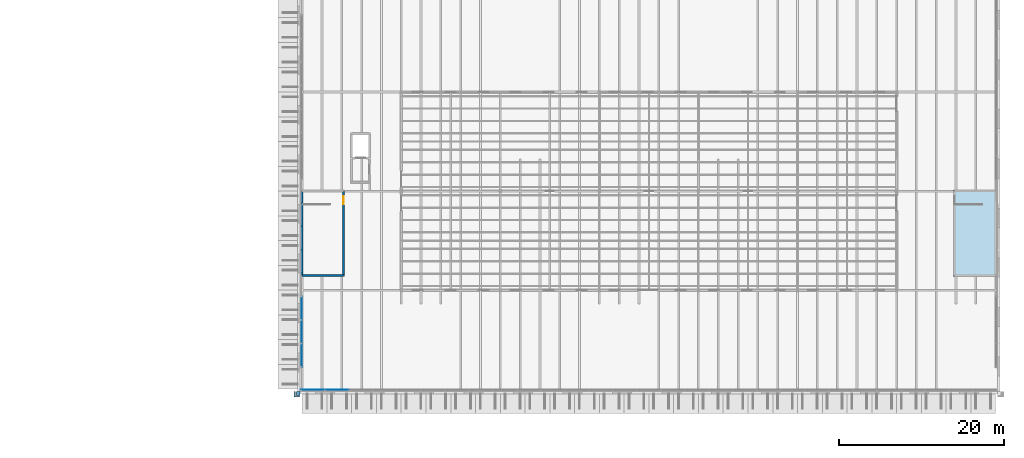
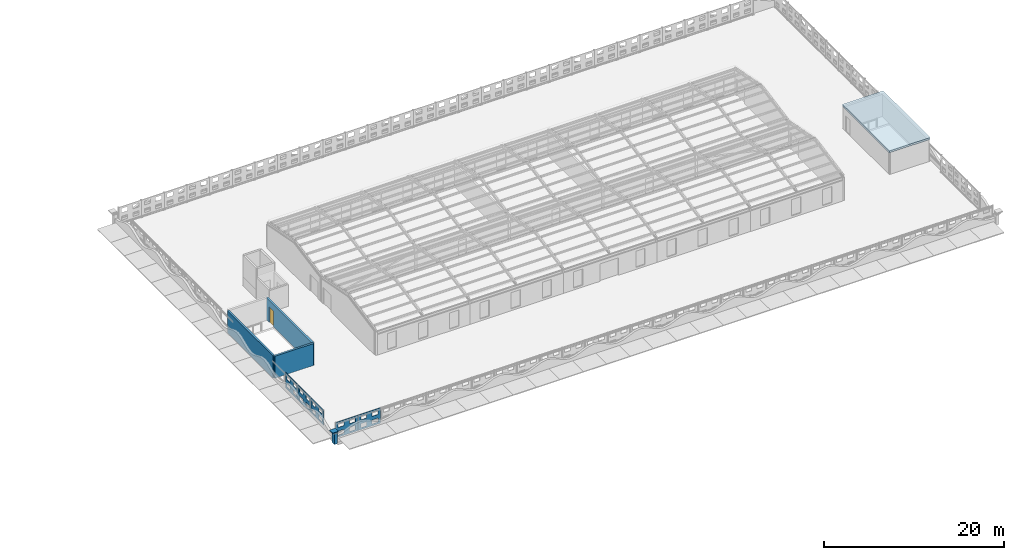
# One storey, part 54 of 91: 10 walls, 1 door, 1 slab, 21 openings.
"""IFC4 building model written with IfcOpenShell, lengths in metres."""

import ifcopenshell
import ifcopenshell.guid

model = None  # the IFC model being written
_history = None  # IfcOwnerHistory: only IFC2X3 demands one
_inside = {}  # id of a spatial element -> (the spatial element, [elements in it])
_under = {}  # id of a project, library or spatial element -> (it, [spatial elements below it])
_declared = {}  # id of a project -> (the project, [libraries it declares])
_typed = {}  # id of a type object -> (the type object, [elements of that type])
_made_of = {}  # id of a material, layer set ... -> (it, [elements and type objects made of it])


def new_model(schema):
    """Start an empty IFC model of exactly this schema.

    Asked for "IFC4X3", IfcOpenShell would pick the latest addendum, in which some entities
    have other attributes; the version numbers below select the first issue.
    IFC2X3 requires an IfcOwnerHistory on every rooted entity: one is made here for all.
    """
    global model, _history
    if schema == "IFC4X3":
        model = ifcopenshell.file(schema_version=(4, 3, 0, 0))
    else:
        model = ifcopenshell.file(schema=schema)
    _inside.clear()
    _under.clear()
    _declared.clear()
    _typed.clear()
    _made_of.clear()
    _history = None
    if model.schema == "IFC2X3":
        org = make("IfcOrganization", Name="unknown")
        user = make(
            "IfcPersonAndOrganization",
            ThePerson=make("IfcPerson", FamilyName="unknown"),
            TheOrganization=org,
        )
        app = make(
            "IfcApplication",
            ApplicationDeveloper=org,
            Version="unknown",
            ApplicationFullName="unknown",
            ApplicationIdentifier="unknown",
        )
        _history = make(
            "IfcOwnerHistory",
            OwningUser=user,
            OwningApplication=app,
            ChangeAction="ADDED",
            CreationDate=0,
        )
    return model


def make(cls, **values):
    """One entity of the class cls with the attributes given. An attribute that is None is left unset."""
    return model.create_entity(
        cls, **{name: value for name, value in values.items() if value is not None}
    )


def rooted(cls, **values):
    """An entity with a GlobalId (a new one), such as an element, a storey or a relation."""
    return make(cls, GlobalId=ifcopenshell.guid.new(), OwnerHistory=_history, **values)


def si_unit(unit_type, name, prefix=None):
    """IfcSIUnit, for example si_unit("LENGTHUNIT", "METRE", prefix="MILLI")."""
    return make("IfcSIUnit", UnitType=unit_type, Prefix=prefix, Name=name)


def assignment(units):
    """IfcUnitAssignment: the units of a project."""
    return None if units is None else make("IfcUnitAssignment", Units=units)


def point(xyz):
    """IfcCartesianPoint."""
    return None if xyz is None else make("IfcCartesianPoint", Coordinates=xyz)


def direction(xyz):
    """IfcDirection."""
    return None if xyz is None else make("IfcDirection", DirectionRatios=xyz)


def frame(location, z_axis=None, x_axis=None):
    """IfcAxis2Placement3D, a coordinate frame: its origin and axes. An axis left out is left unset."""
    return make(
        "IfcAxis2Placement3D",
        Location=point(location),
        Axis=direction(z_axis),
        RefDirection=direction(x_axis),
    )


def frame_2d(location, x_axis=None):
    """IfcAxis2Placement2D, a coordinate frame in the plane: its origin and x axis."""
    return make(
        "IfcAxis2Placement2D", Location=point(location), RefDirection=direction(x_axis)
    )


def origin():
    """The frame at (0, 0, 0) with its axes left unset."""
    return frame((0.0, 0.0, 0.0))


def place(relative_to, where):
    """IfcLocalPlacement: puts the frame where relative to a parent placement (None: the world)."""
    return make(
        "IfcLocalPlacement", PlacementRelTo=relative_to, RelativePlacement=where
    )


def context(
    kind, dimensions, precision=None, world=None, true_north=None, identifier=None
):
    """IfcGeometricRepresentationContext, for example the 3D "Model" context."""
    return make(
        "IfcGeometricRepresentationContext",
        ContextIdentifier=identifier,
        ContextType=kind,
        CoordinateSpaceDimension=dimensions,
        Precision=precision,
        WorldCoordinateSystem=world,
        TrueNorth=true_north,
    )


def subcontext(parent, identifier, kind, view, scale=None):
    """IfcGeometricRepresentationSubContext, for example "Body" below "Model"."""
    return make(
        "IfcGeometricRepresentationSubContext",
        ContextIdentifier=identifier,
        ContextType=kind,
        ParentContext=parent,
        TargetScale=scale,
        TargetView=view,
    )


def project(units=None, contexts=None):
    """IfcProject with its units and contexts."""
    return rooted(
        "IfcProject",
        Name="project",
        RepresentationContexts=contexts,
        UnitsInContext=assignment(units),
    )


def spatial(cls, under=None, at=None, **own):
    """A site, building, storey or space (cls), placed at a placement, below another one or the project."""
    s = rooted(cls, ObjectPlacement=at, **own)
    if under is not None:
        _under.setdefault(under.id(), (under, []))[1].append(s)
    return s


def polyline(points):
    """IfcPolyline through the points."""
    return make("IfcPolyline", Points=[point(p) for p in points])


def profile(cls, at=None, kind="AREA", **sizes):
    """A parametric profile (cls). Its sizes go by their IFC names, for example OverallWidth=200.0."""
    return make(cls, ProfileType=kind, Position=at, **sizes)


def rectangle(**sizes):
    """IfcRectangleProfileDef."""
    return profile("IfcRectangleProfileDef", **sizes)


def outline(outer, holes=None, kind="AREA"):
    """IfcArbitraryClosedProfileDef: a profile drawn as a closed curve; with holes, ...WithVoids."""
    if holes is None:
        return make("IfcArbitraryClosedProfileDef", ProfileType=kind, OuterCurve=outer)
    return make(
        "IfcArbitraryProfileDefWithVoids",
        ProfileType=kind,
        OuterCurve=outer,
        InnerCurves=holes,
    )


def extrude(swept, where, along, depth):
    """IfcExtrudedAreaSolid: the profile swept, set in the frame where, extruded along a direction by depth."""
    return make(
        "IfcExtrudedAreaSolid",
        SweptArea=swept,
        Position=where,
        ExtrudedDirection=direction(along),
        Depth=depth,
    )


def shape(context_of_items, identifier, shape_type, items):
    """IfcShapeRepresentation: the items that make up one representation, for example the "Body"."""
    return make(
        "IfcShapeRepresentation",
        ContextOfItems=context_of_items,
        RepresentationIdentifier=identifier,
        RepresentationType=shape_type,
        Items=items,
    )


def material(Name=None, Category=None):
    """IfcMaterial."""
    return make("IfcMaterial", Name=Name, Category=Category)


def layer(
    of_material, thickness, ventilated=None, Name=None, Category=None, Priority=None
):
    """IfcMaterialLayer: one layer of a wall or slab, of a material (None: an air gap)."""
    return make(
        "IfcMaterialLayer",
        Material=of_material,
        LayerThickness=thickness,
        IsVentilated=ventilated,
        Name=Name,
        Category=Category,
        Priority=Priority,
    )


def layer_set(layers, Name=None):
    """IfcMaterialLayerSet."""
    return make("IfcMaterialLayerSet", MaterialLayers=layers, LayerSetName=Name)


def made_of(thing, what):
    """Note that an element or type object is made of a material, layer set ...; save() writes the relation."""
    if what is not None:
        _made_of.setdefault(what.id(), (what, []))[1].append(thing)
    return thing


def type_object(cls, material=None, **own):
    """A type object (cls), such as IfcWallType, which elements share."""
    return made_of(rooted(cls, **own), material)


def element(
    cls,
    number,
    at=None,
    inside=None,
    cuts=None,
    type_object=None,
    material=None,
    context=None,
    identifier="Body",
    shape_type=None,
    held_by="IfcProductDefinitionShape",
    body=None,
    shapes=None,
    **own,
):
    """One element of the class cls, such as IfcWall. Its Tag is "e" and its number.

    at: its placement. inside: the storey or other place that contains it. cuts: it is an
    opening in that element (IfcRelVoidsElement). A single representation is given by context,
    identifier, shape_type and body (its items); several are given by shapes. held_by: the class
    of the entity that holds the representations. save() writes the other relations.
    """
    e = rooted(cls, Tag="e%d" % number, ObjectPlacement=at, **own)
    if body is not None:
        shapes = [shape(context, identifier, shape_type, body)]
    if shapes is not None:
        e.Representation = make(held_by, Representations=shapes)
    if inside is not None:
        _inside.setdefault(inside.id(), (inside, []))[1].append(e)
    if cuts is not None:
        rooted(
            "IfcRelVoidsElement", RelatingBuildingElement=cuts, RelatedOpeningElement=e
        )
    if type_object is not None:
        _typed.setdefault(type_object.id(), (type_object, []))[1].append(e)
    return made_of(e, material)


def fill(opening, filler):
    """IfcRelFillsElement: the door or window that sits in an opening."""
    return rooted(
        "IfcRelFillsElement",
        RelatingOpeningElement=opening,
        RelatedBuildingElement=filler,
    )


def aggregate(whole, parts):
    """IfcRelAggregates: a whole, such as a stair, and the parts it consists of."""
    return rooted("IfcRelAggregates", RelatingObject=whole, RelatedObjects=parts)


def save(model, path):
    """Write the relations noted so far, then the file.

    IfcRelAggregates (storeys below a building ...), IfcRelContainedInSpatialStructure (elements
    in a storey), IfcRelDefinesByType, IfcRelAssociatesMaterial and IfcRelDeclares: one each for
    every whole, place, type object, material and project.
    """
    for whole, parts in _under.values():
        aggregate(whole, parts)
    for where, things in _inside.values():
        rooted(
            "IfcRelContainedInSpatialStructure",
            RelatedElements=things,
            RelatingStructure=where,
        )
    for kind, things in _typed.values():
        rooted("IfcRelDefinesByType", RelatedObjects=things, RelatingType=kind)
    for what, things in _made_of.values():
        rooted("IfcRelAssociatesMaterial", RelatedObjects=things, RelatingMaterial=what)
    for by, libraries in _declared.values():
        rooted("IfcRelDeclares", RelatingContext=by, RelatedDefinitions=libraries)
    model.write(path)


model = new_model("IFC4")

# Units and contexts
model_context = context("Model", 3, precision=1e-05, world=origin(), true_north=direction((0.0, 1.0)))
body_context = subcontext(model_context, "Body", "Model", "MODEL_VIEW")
ifc_project = project(units=[si_unit("LENGTHUNIT", "METRE"), si_unit("AREAUNIT", "SQUARE_METRE"), si_unit("VOLUMEUNIT", "CUBIC_METRE"), si_unit("PLANEANGLEUNIT", "RADIAN"), si_unit("MASSUNIT", "GRAM", prefix="KILO")], contexts=[model_context])

# Site, building, storey
site_placement = place(None, origin())
site = spatial("IfcSite", under=ifc_project, at=site_placement, CompositionType="ELEMENT")
building_placement = place(site_placement, origin())
building = spatial("IfcBuilding", under=site, at=building_placement, Name="Ravi Spectrum Wholesale Market", CompositionType="ELEMENT")
storey_placement = place(building_placement, frame((0.0, 0.0, 16.199951171875)))
storey = spatial("IfcBuildingStorey", under=building, at=storey_placement, Name="ROOF PLANT LEVEL", CompositionType="ELEMENT", Elevation=16.199951171875)

# Slab
ifc_material_1 = material(Name="Concrete C35/45", Category="concrete")
ifc_layer_1 = layer(ifc_material_1, 0.25)
ifc_layer_set_1 = layer_set([ifc_layer_1], Name="Concrete C35/45")
slab_type = type_object("IfcSlabType", Name="Flat roof slab 250", PredefinedType="ROOF", material=ifc_layer_set_1)
slab_placement = place(storey_placement, frame((0.0, 0.0, 3.0)))
element("IfcSlab", 1, at=slab_placement, inside=storey, type_object=slab_type, Name="Head house roof Stair S-CS-2", PredefinedType="ROOF", context=body_context, shape_type="SweptSolid", body=[
    extrude(outline(polyline([(282.125, 31.675048828125), (282.125, 42.125), (276.875, 42.125), (276.875, 31.675048828125), (282.125, 31.675048828125)])), origin(), (0.0, 0.0, 1.0), 0.25),
])

# Walls
ifc_material_2 = material(Name="Clinker brickwork", Category="masonry")
ifc_layer_2 = layer(ifc_material_2, 0.695068359375)
ifc_layer_set_2 = layer_set([ifc_layer_2], Name="Clinker brickwork")
wall_type_1 = type_object("IfcWallType", Name="Brick corbel 695", PredefinedType="SOLIDWALL", material=ifc_layer_set_2)
wall_1_placement = place(storey_placement, frame((197.75, 17.402587890625, 1.670166015625), z_axis=(0.0, 0.0, 1.0), x_axis=(-1.0, 0.0, 0.0)))
element("IfcWall", 2, at=wall_1_placement, inside=storey, type_object=wall_type_1, Name="CS-WL-ROOF-008", PredefinedType="SOLIDWALL", context=body_context, shape_type="SweptSolid", body=[
    extrude(rectangle(XDim=0.760009765625, YDim=0.695068359375, at=frame_2d((0.3798828125, 0.0))), origin(), (0.0, 0.0, 1.0), 0.1298828125),
])
ifc_material_3 = material(Name="Clinker brickwork", Category="masonry")
ifc_layer_3 = layer(ifc_material_3, 0.485107421875)
ifc_layer_set_3 = layer_set([ifc_layer_3], Name="Clinker brickwork")
wall_type_2 = type_object("IfcWallType", Name="Brick pier 485", PredefinedType="SOLIDWALL", material=ifc_layer_set_3)
wall_2_placement = place(storey_placement, frame((197.75, 17.507568359375, 0.0), z_axis=(0.0, 0.0, 1.0), x_axis=(-1.0, 0.0, 0.0)))
element("IfcWall", 3, at=wall_2_placement, inside=storey, type_object=wall_type_2, Name="CS-WL-ROOF-005", PredefinedType="SOLIDWALL", context=body_context, shape_type="SweptSolid", body=[
    extrude(rectangle(XDim=0.4150390625, YDim=0.485107421875, at=frame_2d((0.20751953125, 0.0))), origin(), (0.0, 0.0, 1.0), 1.41015625),
])
ifc_material_4 = material(Name="Concrete C35/45", Category="concrete")
ifc_layer_4 = layer(ifc_material_4, 0.25)
ifc_layer_set_4 = layer_set([ifc_layer_4], Name="Concrete C35/45")
wall_type_3 = type_object("IfcWallType", Name="Concrete core wall 250", PredefinedType="SHEAR", material=ifc_layer_set_4)
wall_3_placement = place(storey_placement, frame((198.0, 31.800048828125, 0.0), z_axis=(0.0, 0.0, 1.0), x_axis=(1.0, 0.0, 0.0)))
element("IfcWall", 4, at=wall_3_placement, inside=storey, type_object=wall_type_3, Name="Stair head house wall Stair S-CS-1", PredefinedType="SHEAR", context=body_context, shape_type="SweptSolid", body=[
    extrude(rectangle(XDim=5.0, YDim=0.25, at=frame_2d((2.5, 0.0))), origin(), (0.0, 0.0, 1.0), 3.0),
])

# Wall, opening, door
wall_4_placement = place(storey_placement, frame((203.0, 31.800048828125, 0.0), z_axis=(0.0, 0.0, 1.0), x_axis=(0.0, 1.0, 0.0)))
wall_4 = element("IfcWall", 5, at=wall_4_placement, inside=storey, type_object=wall_type_3, Name="Stair head house wall Stair S-CS-1", PredefinedType="SHEAR", context=body_context, shape_type="SweptSolid", body=[
    extrude(rectangle(XDim=10.199951171875, YDim=0.25, at=frame_2d((5.10009765625, 0.0))), origin(), (0.0, 0.0, 1.0), 3.0),
])
opening_1_placement = place(wall_4_placement, frame((9.60009765625, 0.0, 0.0), z_axis=(0.0, 0.0, 1.0), x_axis=(-1.0, 0.0, 0.0)))
opening_1 = element("IfcOpeningElement", 6, at=opening_1_placement, cuts=wall_4, Name="Opening D555", PredefinedType="OPENING", context=body_context, shape_type="SweptSolid", body=[
    extrude(rectangle(XDim=1.0, YDim=2.10009765625, at=frame_2d((0.5, 1.050048828125))), frame((0.0, 0.135009765625, 0.0), z_axis=(0.0, -1.0, 0.0), x_axis=(1.0, 0.0, 0.0)), (0.0, 0.0, 1.0), 0.27001953125),
])
ifc_material_5 = material(Name="Steel door", Category="steel")
door_type = type_object("IfcDoorType", Name="Stair door 1000 x 2100", OperationType="SINGLE_SWING_LEFT", PredefinedType="DOOR", material=ifc_material_5)
door_placement = place(opening_1_placement, origin())
door = element("IfcDoor", 7, at=door_placement, inside=storey, type_object=door_type, Name="Stair door S-CS-1 to roof deck", OperationType="SINGLE_SWING_LEFT", OverallHeight=2.10009765625, OverallWidth=1.0, PredefinedType="DOOR", context=body_context, shape_type="SweptSolid", body=[
    extrude(rectangle(XDim=1.0, YDim=2.10009765625, at=frame_2d((0.5, 1.050048828125))), frame((0.0, 0.02490234375, 0.0), z_axis=(0.0, -1.0, 0.0), x_axis=(1.0, 0.0, 0.0)), (0.0, 0.0, 1.0), 0.050048828125),
])
fill(opening_1, door)

# Wall
wall_5_placement = place(storey_placement, frame((198.0, 31.800048828125, 0.0), z_axis=(0.0, 0.0, 1.0), x_axis=(0.0, 1.0, 0.0)))
element("IfcWall", 8, at=wall_5_placement, inside=storey, type_object=wall_type_3, Name="Stair head house wall Stair S-CS-1", PredefinedType="SHEAR", context=body_context, shape_type="SweptSolid", body=[
    extrude(rectangle(XDim=10.199951171875, YDim=0.25, at=frame_2d((5.10009765625, 0.0))), origin(), (0.0, 0.0, 1.0), 3.0),
])

# Wall, openings
ifc_material_6 = material(Name="Aluminium perforated plate", Category="aluminium")
ifc_layer_5 = layer(ifc_material_6, 0.030029296875)
ifc_layer_set_5 = layer_set([ifc_layer_5], Name="Aluminium perforated plate")
wall_type_4 = type_object("IfcWallType", Name="Perforated screen panel 30", PredefinedType="SOLIDWALL", material=ifc_layer_set_5)
wall_6_placement = place(storey_placement, frame((197.85009765625, 17.94921875, 0.300048828125), z_axis=(0.0, 0.0, 1.0), x_axis=(1.0, 0.0, 0.0)))
wall_6 = element("IfcWall", 9, at=wall_6_placement, inside=storey, type_object=wall_type_4, Name="CS-WL-ROOF-021", PredefinedType="SOLIDWALL", context=body_context, shape_type="SweptSolid", body=[
    extrude(rectangle(XDim=2.90673828125, YDim=0.030029296875, at=frame_2d((1.453369140625, 0.0))), origin(), (0.0, 0.0, 1.0), 2.10009765625),
])
opening_2_placement = place(wall_6_placement, frame((0.35009765625, 0.0, 0.25)))
element("IfcOpeningElement", 10, at=opening_2_placement, cuts=wall_6, Name="Opening CS-OP-ROOF-001", PredefinedType="OPENING", context=body_context, shape_type="SweptSolid", body=[
    extrude(rectangle(XDim=0.75341796875, YDim=0.550048828125, at=frame_2d((0.376708984375, 0.27490234375))), frame((0.0, 0.02490234375, 0.0), z_axis=(0.0, -1.0, 0.0), x_axis=(1.0, 0.0, 0.0)), (0.0, 0.0, 1.0), 0.050048828125),
])
opening_3_placement = place(wall_6_placement, frame((0.35009765625, 0.0, 1.300048828125)))
element("IfcOpeningElement", 11, at=opening_3_placement, cuts=wall_6, Name="Opening CS-OP-ROOF-002", PredefinedType="OPENING", context=body_context, shape_type="SweptSolid", body=[
    extrude(rectangle(XDim=0.75341796875, YDim=0.550048828125, at=frame_2d((0.376708984375, 0.27490234375))), frame((0.0, 0.02490234375, 0.0), z_axis=(0.0, -1.0, 0.0), x_axis=(1.0, 0.0, 0.0)), (0.0, 0.0, 1.0), 0.050048828125),
])
opening_4_placement = place(wall_6_placement, frame((1.803466796875, 0.0, 0.25)))
element("IfcOpeningElement", 12, at=opening_4_placement, cuts=wall_6, Name="Opening CS-OP-ROOF-003", PredefinedType="OPENING", context=body_context, shape_type="SweptSolid", body=[
    extrude(rectangle(XDim=0.75341796875, YDim=0.550048828125, at=frame_2d((0.376708984375, 0.27490234375))), frame((0.0, 0.02490234375, 0.0), z_axis=(0.0, -1.0, 0.0), x_axis=(1.0, 0.0, 0.0)), (0.0, 0.0, 1.0), 0.050048828125),
])
opening_5_placement = place(wall_6_placement, frame((1.803466796875, 0.0, 1.300048828125)))
element("IfcOpeningElement", 13, at=opening_5_placement, cuts=wall_6, Name="Opening CS-OP-ROOF-004", PredefinedType="OPENING", context=body_context, shape_type="SweptSolid", body=[
    extrude(rectangle(XDim=0.75341796875, YDim=0.550048828125, at=frame_2d((0.376708984375, 0.27490234375))), frame((0.0, 0.02490234375, 0.0), z_axis=(0.0, -1.0, 0.0), x_axis=(1.0, 0.0, 0.0)), (0.0, 0.0, 1.0), 0.050048828125),
])

wall_7_placement = place(storey_placement, frame((200.7568359375, 17.94921875, 0.300048828125), z_axis=(0.0, 0.0, 1.0), x_axis=(1.0, 0.0, 0.0)))
wall_7 = element("IfcWall", 14, at=wall_7_placement, inside=storey, type_object=wall_type_4, Name="CS-WL-ROOF-022", PredefinedType="SOLIDWALL", context=body_context, shape_type="SweptSolid", body=[
    extrude(rectangle(XDim=2.906982421875, YDim=0.030029296875, at=frame_2d((1.45361328125, 0.0))), origin(), (0.0, 0.0, 1.0), 2.10009765625),
])
opening_6_placement = place(wall_7_placement, frame((0.35009765625, 0.0, 0.25)))
element("IfcOpeningElement", 15, at=opening_6_placement, cuts=wall_7, Name="Opening CS-OP-ROOF-005", PredefinedType="OPENING", context=body_context, shape_type="SweptSolid", body=[
    extrude(rectangle(XDim=0.75341796875, YDim=0.550048828125, at=frame_2d((0.376708984375, 0.27490234375))), frame((0.0, 0.02490234375, 0.0), z_axis=(0.0, -1.0, 0.0), x_axis=(1.0, 0.0, 0.0)), (0.0, 0.0, 1.0), 0.050048828125),
])
opening_7_placement = place(wall_7_placement, frame((0.35009765625, 0.0, 1.300048828125)))
element("IfcOpeningElement", 16, at=opening_7_placement, cuts=wall_7, Name="Opening CS-OP-ROOF-006", PredefinedType="OPENING", context=body_context, shape_type="SweptSolid", body=[
    extrude(rectangle(XDim=0.75341796875, YDim=0.550048828125, at=frame_2d((0.376708984375, 0.27490234375))), frame((0.0, 0.02490234375, 0.0), z_axis=(0.0, -1.0, 0.0), x_axis=(1.0, 0.0, 0.0)), (0.0, 0.0, 1.0), 0.050048828125),
])
opening_8_placement = place(wall_7_placement, frame((1.803466796875, 0.0, 0.25)))
element("IfcOpeningElement", 17, at=opening_8_placement, cuts=wall_7, Name="Opening CS-OP-ROOF-007", PredefinedType="OPENING", context=body_context, shape_type="SweptSolid", body=[
    extrude(rectangle(XDim=0.75341796875, YDim=0.550048828125, at=frame_2d((0.376708984375, 0.27490234375))), frame((0.0, 0.02490234375, 0.0), z_axis=(0.0, -1.0, 0.0), x_axis=(1.0, 0.0, 0.0)), (0.0, 0.0, 1.0), 0.050048828125),
])
opening_9_placement = place(wall_7_placement, frame((1.803466796875, 0.0, 1.300048828125)))
element("IfcOpeningElement", 18, at=opening_9_placement, cuts=wall_7, Name="Opening CS-OP-ROOF-008", PredefinedType="OPENING", context=body_context, shape_type="SweptSolid", body=[
    extrude(rectangle(XDim=0.75341796875, YDim=0.550048828125, at=frame_2d((0.376708984375, 0.27490234375))), frame((0.0, 0.02490234375, 0.0), z_axis=(0.0, -1.0, 0.0), x_axis=(1.0, 0.0, 0.0)), (0.0, 0.0, 1.0), 0.050048828125),
])

wall_8_placement = place(storey_placement, frame((197.94921875, 29.214599609375, 0.300048828125), z_axis=(0.0, 0.0, 1.0), x_axis=(0.0, -1.0, 0.0)))
wall_8 = element("IfcWall", 19, at=wall_8_placement, inside=storey, type_object=wall_type_4, Name="CS-WL-ROOF-106", PredefinedType="SOLIDWALL", context=body_context, shape_type="SweptSolid", body=[
    extrude(rectangle(XDim=2.841064453125, YDim=0.030029296875, at=frame_2d((1.42041015625, 0.0))), origin(), (0.0, 0.0, 1.0), 2.10009765625),
])
opening_10_placement = place(wall_8_placement, frame((0.35009765625, 0.0, 0.25)))
element("IfcOpeningElement", 20, at=opening_10_placement, cuts=wall_8, Name="Opening CS-OP-ROOF-341", PredefinedType="OPENING", context=body_context, shape_type="SweptSolid", body=[
    extrude(rectangle(XDim=0.720703125, YDim=0.550048828125, at=frame_2d((0.3603515625, 0.27490234375))), frame((0.0, 0.02490234375, 0.0), z_axis=(0.0, -1.0, 0.0), x_axis=(1.0, 0.0, 0.0)), (0.0, 0.0, 1.0), 0.050048828125),
])
opening_11_placement = place(wall_8_placement, frame((0.35009765625, 0.0, 1.300048828125)))
element("IfcOpeningElement", 21, at=opening_11_placement, cuts=wall_8, Name="Opening CS-OP-ROOF-342", PredefinedType="OPENING", context=body_context, shape_type="SweptSolid", body=[
    extrude(rectangle(XDim=0.720703125, YDim=0.550048828125, at=frame_2d((0.3603515625, 0.27490234375))), frame((0.0, 0.02490234375, 0.0), z_axis=(0.0, -1.0, 0.0), x_axis=(1.0, 0.0, 0.0)), (0.0, 0.0, 1.0), 0.050048828125),
])
opening_12_placement = place(wall_8_placement, frame((1.7705078125, 0.0, 0.25)))
element("IfcOpeningElement", 22, at=opening_12_placement, cuts=wall_8, Name="Opening CS-OP-ROOF-343", PredefinedType="OPENING", context=body_context, shape_type="SweptSolid", body=[
    extrude(rectangle(XDim=0.720703125, YDim=0.550048828125, at=frame_2d((0.3603515625, 0.27490234375))), frame((0.0, 0.02490234375, 0.0), z_axis=(0.0, -1.0, 0.0), x_axis=(1.0, 0.0, 0.0)), (0.0, 0.0, 1.0), 0.050048828125),
])
opening_13_placement = place(wall_8_placement, frame((1.7705078125, 0.0, 1.300048828125)))
element("IfcOpeningElement", 23, at=opening_13_placement, cuts=wall_8, Name="Opening CS-OP-ROOF-344", PredefinedType="OPENING", context=body_context, shape_type="SweptSolid", body=[
    extrude(rectangle(XDim=0.720703125, YDim=0.550048828125, at=frame_2d((0.3603515625, 0.27490234375))), frame((0.0, 0.02490234375, 0.0), z_axis=(0.0, -1.0, 0.0), x_axis=(1.0, 0.0, 0.0)), (0.0, 0.0, 1.0), 0.050048828125),
])

wall_9_placement = place(storey_placement, frame((197.94921875, 26.37353515625, 0.300048828125), z_axis=(0.0, 0.0, 1.0), x_axis=(0.0, -1.0, 0.0)))
wall_9 = element("IfcWall", 24, at=wall_9_placement, inside=storey, type_object=wall_type_4, Name="CS-WL-ROOF-107", PredefinedType="SOLIDWALL", context=body_context, shape_type="SweptSolid", body=[
    extrude(rectangle(XDim=2.841064453125, YDim=0.030029296875, at=frame_2d((1.42041015625, 0.0))), origin(), (0.0, 0.0, 1.0), 2.10009765625),
])
opening_14_placement = place(wall_9_placement, frame((0.35009765625, 0.0, 0.25)))
element("IfcOpeningElement", 25, at=opening_14_placement, cuts=wall_9, Name="Opening CS-OP-ROOF-345", PredefinedType="OPENING", context=body_context, shape_type="SweptSolid", body=[
    extrude(rectangle(XDim=0.720703125, YDim=0.550048828125, at=frame_2d((0.3603515625, 0.27490234375))), frame((0.0, 0.02490234375, 0.0), z_axis=(0.0, -1.0, 0.0), x_axis=(1.0, 0.0, 0.0)), (0.0, 0.0, 1.0), 0.050048828125),
])
opening_15_placement = place(wall_9_placement, frame((0.35009765625, 0.0, 1.300048828125)))
element("IfcOpeningElement", 26, at=opening_15_placement, cuts=wall_9, Name="Opening CS-OP-ROOF-346", PredefinedType="OPENING", context=body_context, shape_type="SweptSolid", body=[
    extrude(rectangle(XDim=0.720703125, YDim=0.550048828125, at=frame_2d((0.3603515625, 0.27490234375))), frame((0.0, 0.02490234375, 0.0), z_axis=(0.0, -1.0, 0.0), x_axis=(1.0, 0.0, 0.0)), (0.0, 0.0, 1.0), 0.050048828125),
])
opening_16_placement = place(wall_9_placement, frame((1.7705078125, 0.0, 0.25)))
element("IfcOpeningElement", 27, at=opening_16_placement, cuts=wall_9, Name="Opening CS-OP-ROOF-347", PredefinedType="OPENING", context=body_context, shape_type="SweptSolid", body=[
    extrude(rectangle(XDim=0.720703125, YDim=0.550048828125, at=frame_2d((0.3603515625, 0.27490234375))), frame((0.0, 0.02490234375, 0.0), z_axis=(0.0, -1.0, 0.0), x_axis=(1.0, 0.0, 0.0)), (0.0, 0.0, 1.0), 0.050048828125),
])
opening_17_placement = place(wall_9_placement, frame((1.7705078125, 0.0, 1.300048828125)))
element("IfcOpeningElement", 28, at=opening_17_placement, cuts=wall_9, Name="Opening CS-OP-ROOF-348", PredefinedType="OPENING", context=body_context, shape_type="SweptSolid", body=[
    extrude(rectangle(XDim=0.720703125, YDim=0.550048828125, at=frame_2d((0.3603515625, 0.27490234375))), frame((0.0, 0.02490234375, 0.0), z_axis=(0.0, -1.0, 0.0), x_axis=(1.0, 0.0, 0.0)), (0.0, 0.0, 1.0), 0.050048828125),
])

wall_10_placement = place(storey_placement, frame((197.94921875, 23.532470703125, 0.300048828125), z_axis=(0.0, 0.0, 1.0), x_axis=(0.0, -1.0, 0.0)))
wall_10 = element("IfcWall", 29, at=wall_10_placement, inside=storey, type_object=wall_type_4, Name="CS-WL-ROOF-108", PredefinedType="SOLIDWALL", context=body_context, shape_type="SweptSolid", body=[
    extrude(rectangle(XDim=2.84130859375, YDim=0.030029296875, at=frame_2d((1.420654296875, 0.0))), origin(), (0.0, 0.0, 1.0), 2.10009765625),
])
opening_18_placement = place(wall_10_placement, frame((0.35009765625, 0.0, 0.25)))
element("IfcOpeningElement", 30, at=opening_18_placement, cuts=wall_10, Name="Opening CS-OP-ROOF-349", PredefinedType="OPENING", context=body_context, shape_type="SweptSolid", body=[
    extrude(rectangle(XDim=0.720703125, YDim=0.550048828125, at=frame_2d((0.3603515625, 0.27490234375))), frame((0.0, 0.02490234375, 0.0), z_axis=(0.0, -1.0, 0.0), x_axis=(1.0, 0.0, 0.0)), (0.0, 0.0, 1.0), 0.050048828125),
])
opening_19_placement = place(wall_10_placement, frame((0.35009765625, 0.0, 1.300048828125)))
element("IfcOpeningElement", 31, at=opening_19_placement, cuts=wall_10, Name="Opening CS-OP-ROOF-350", PredefinedType="OPENING", context=body_context, shape_type="SweptSolid", body=[
    extrude(rectangle(XDim=0.720703125, YDim=0.550048828125, at=frame_2d((0.3603515625, 0.27490234375))), frame((0.0, 0.02490234375, 0.0), z_axis=(0.0, -1.0, 0.0), x_axis=(1.0, 0.0, 0.0)), (0.0, 0.0, 1.0), 0.050048828125),
])
opening_20_placement = place(wall_10_placement, frame((1.7705078125, 0.0, 0.25)))
element("IfcOpeningElement", 32, at=opening_20_placement, cuts=wall_10, Name="Opening CS-OP-ROOF-351", PredefinedType="OPENING", context=body_context, shape_type="SweptSolid", body=[
    extrude(rectangle(XDim=0.720703125, YDim=0.550048828125, at=frame_2d((0.3603515625, 0.27490234375))), frame((0.0, 0.02490234375, 0.0), z_axis=(0.0, -1.0, 0.0), x_axis=(1.0, 0.0, 0.0)), (0.0, 0.0, 1.0), 0.050048828125),
])
opening_21_placement = place(wall_10_placement, frame((1.7705078125, 0.0, 1.300048828125)))
element("IfcOpeningElement", 33, at=opening_21_placement, cuts=wall_10, Name="Opening CS-OP-ROOF-352", PredefinedType="OPENING", context=body_context, shape_type="SweptSolid", body=[
    extrude(rectangle(XDim=0.720703125, YDim=0.550048828125, at=frame_2d((0.3603515625, 0.27490234375))), frame((0.0, 0.02490234375, 0.0), z_axis=(0.0, -1.0, 0.0), x_axis=(1.0, 0.0, 0.0)), (0.0, 0.0, 1.0), 0.050048828125),
])

save(model, "model.ifc")
